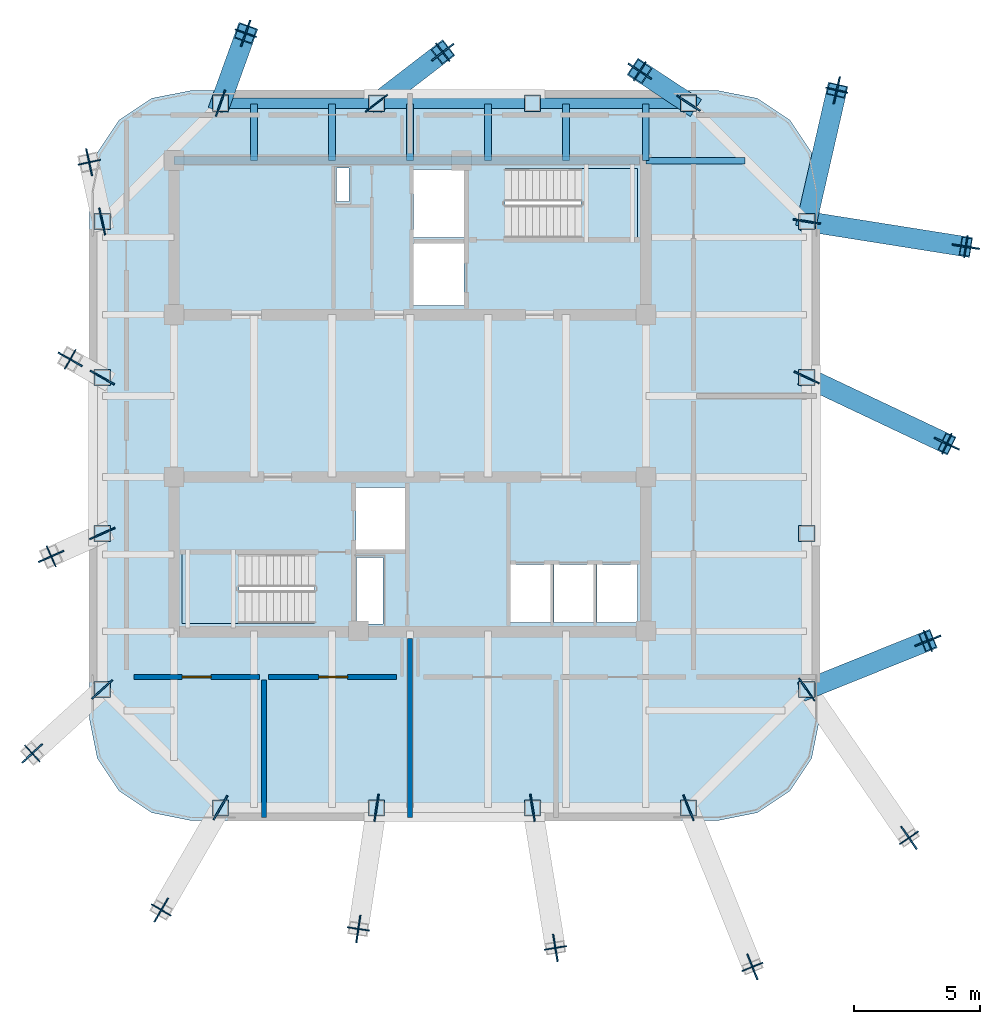
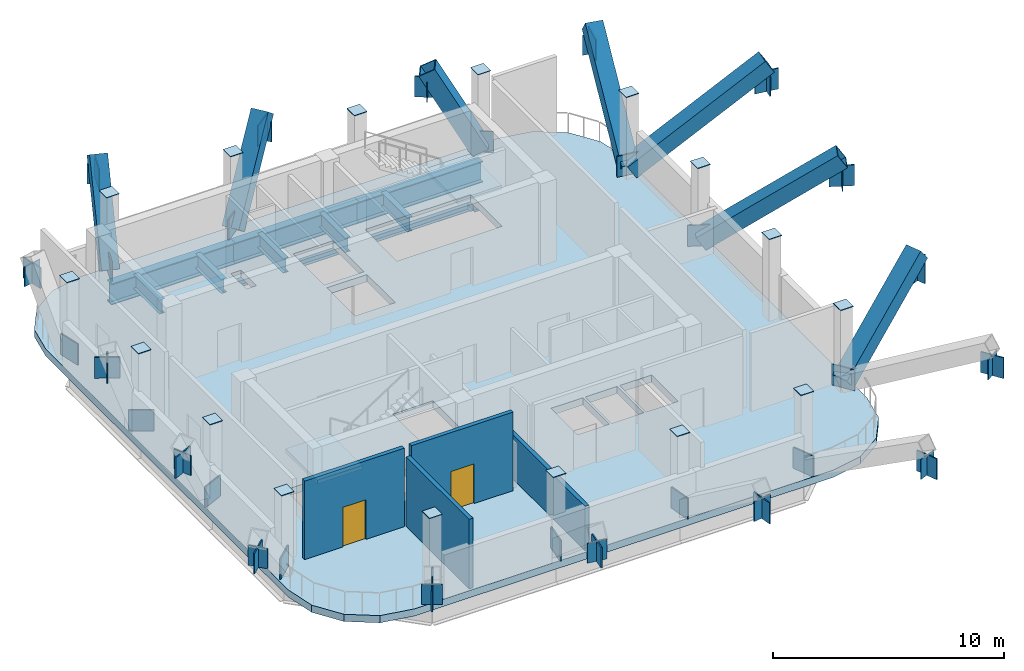
# One storey, part 2 of 7: 62 plates, 11 beams, 7 members, 4 walls, 3 slabs, 2 doors, 2 openings, 2 elements without a shape of their own.
"""IFC4 building model written with IfcOpenShell, lengths in metres."""

from ifc_helpers import new_model, si_unit, direction, frame, frame_2d, origin, origin_2d, place, context, subcontext, project, spatial, polyline, rectangle, hollow_rectangle, i_section, outline, extrude, material, layer, layer_set, material_profile, profile_set, type_object, element, fill, aggregate, save


model = new_model("IFC4")

# Units and contexts
model_context = context("Model", 3, precision=1e-05, world=origin(), true_north=direction((0.0, 1.0)))
body_context = subcontext(model_context, "Body", "Model", "MODEL_VIEW")
ifc_project = project(units=[si_unit("LENGTHUNIT", "METRE"), si_unit("AREAUNIT", "SQUARE_METRE"), si_unit("VOLUMEUNIT", "CUBIC_METRE"), si_unit("PLANEANGLEUNIT", "RADIAN"), si_unit("MASSUNIT", "GRAM", prefix="KILO")], contexts=[model_context])

# Site, building, storey
site_placement = place(None, origin())
site = spatial("IfcSite", under=ifc_project, at=site_placement, CompositionType="ELEMENT")
building_placement = place(site_placement, origin())
building = spatial("IfcBuilding", under=site, at=building_placement, Name="Qhalaya Broadcast Tower", CompositionType="ELEMENT")
storey_placement = place(building_placement, frame((0.0, 0.0, 238.5)))
storey = spatial("IfcBuildingStorey", under=building, at=storey_placement, Name="L70", CompositionType="ELEMENT", Elevation=238.5)

# Beams
ifc_material_1 = material(Name="Structural Steel ASTM A992 Grade 50", Category="steel")
ifc_material_profile_1 = material_profile(ifc_material_1, i_section(OverallWidth=0.323974609375, OverallDepth=0.612060546875, WebThickness=0.0126953125, FlangeThickness=0.01904296875, at=origin_2d()), Name="W24X104")
ifc_profile_set_1 = profile_set([ifc_material_profile_1], Name="Structural Steel ASTM A992 Grade 50")
beam_type_1 = type_object("IfcBeamType", Name="Core Frame Tie Beam B04", PredefinedType="BEAM", material=ifc_profile_set_1)
beam_1_placement = place(storey_placement, frame((-9.375, 9.949951171875, -0.68603515625), z_axis=(1.0, 0.0, 0.0), x_axis=(0.0, 1.0, 0.0)))
element("IfcBeam", 1, at=beam_1_placement, inside=storey, type_object=beam_type_1, Name="L70 B04 L70-CCN3", PredefinedType="BEAM", context=body_context, shape_type="SweptSolid", body=[
    extrude(i_section(OverallWidth=0.323974609375, OverallDepth=0.612060546875, WebThickness=0.0126953125, FlangeThickness=0.01904296875, at=origin_2d()), origin(), (0.0, 0.0, 1.0), 18.4951171875),
])
ifc_material_profile_2 = material_profile(ifc_material_1, i_section(OverallWidth=0.26708984375, OverallDepth=0.780029296875, WebThickness=0.0166015625, FlangeThickness=0.030029296875, at=origin_2d()), Name="W30X148")
ifc_profile_set_2 = profile_set([ifc_material_profile_2], Name="Structural Steel ASTM A992 Grade 50")
beam_type_2 = type_object("IfcBeamType", Name="Neck & Crown Primary Girder PG5", PredefinedType="USERDEFINED", material=ifc_profile_set_2)
beam_2_placement = place(storey_placement, frame((9.375, 9.949951171875, -0.77001953125), z_axis=(0.0, 1.0, 0.0), x_axis=(-1.0, 0.0, 0.0)))
element("IfcBeam", 2, at=beam_2_placement, inside=storey, type_object=beam_type_2, Name="L70 PG5 L70-PGXN2-1", ObjectType="GIRDER", PredefinedType="USERDEFINED", context=body_context, shape_type="SweptSolid", body=[
    extrude(i_section(OverallWidth=0.26708984375, OverallDepth=0.780029296875, WebThickness=0.0166015625, FlangeThickness=0.030029296875, at=origin_2d()), origin(), (0.0, 0.0, 1.0), 2.260009765625),
])
beam_3_placement = place(storey_placement, frame((9.375, 9.949951171875, -0.77001953125), z_axis=(1.0, 0.0, 0.0), x_axis=(0.0, 1.0, 0.0)))
element("IfcBeam", 3, at=beam_3_placement, inside=storey, type_object=beam_type_2, Name="L70 PG5 L70-PGYE4-1", ObjectType="GIRDER", PredefinedType="USERDEFINED", context=body_context, shape_type="SweptSolid", body=[
    extrude(i_section(OverallWidth=0.26708984375, OverallDepth=0.780029296875, WebThickness=0.0166015625, FlangeThickness=0.030029296875, at=origin_2d()), origin(), (0.0, 0.0, 1.0), 3.94677734375),
])
ifc_material_profile_3 = material_profile(ifc_material_1, i_section(OverallWidth=0.26708984375, OverallDepth=0.761962890625, WebThickness=0.014404296875, FlangeThickness=0.021484375, at=origin_2d()), Name="W30X116")
ifc_profile_set_3 = profile_set([ifc_material_profile_3], Name="Structural Steel ASTM A992 Grade 50")
beam_type_3 = type_object("IfcBeamType", Name="Plant & Server Floor Beam B02", PredefinedType="BEAM", material=ifc_profile_set_3)
for number, where, z_axis, x_axis, name in (
    (4, (-6.199951171875, 9.949951171875, -0.760986328125), (0.0, 1.0, 0.0), (-1.0, 0.0, 0.0), "L70 B02 L70-JNN1-1"),
    (5, (-3.10009765625, 9.949951171875, -0.760986328125), (0.0, 1.0, 0.0), (-1.0, 0.0, 0.0), "L70 B02 L70-JNN2-1"),
    (6, (0.0, 9.949951171875, -0.760986328125), (0.0, 1.0, 0.0), (-1.0, 0.0, 0.0), "L70 B02 L70-JNN3-1"),
    (7, (3.10009765625, 9.949951171875, -0.760986328125), (0.0, 1.0, 0.0), (-1.0, 0.0, 0.0), "L70 B02 L70-JNN4-1"),
    (8, (6.199951171875, 9.949951171875, -0.760986328125), (0.0, 1.0, 0.0), (-1.0, 0.0, 0.0), "L70 B02 L70-JNN5-1"),
):
    element("IfcBeam", number, at=place(storey_placement, frame(where, z_axis=z_axis, x_axis=x_axis)), inside=storey, type_object=beam_type_3, Name=name, PredefinedType="BEAM", context=body_context, shape_type="SweptSolid", body=[
        extrude(i_section(OverallWidth=0.26708984375, OverallDepth=0.761962890625, WebThickness=0.014404296875, FlangeThickness=0.021484375, at=origin_2d()), origin(), (0.0, 0.0, 1.0), 2.260009765625),
    ])
ifc_material_profile_4 = material_profile(ifc_material_1, i_section(OverallWidth=0.404052734375, OverallDepth=1.117919921875, WebThickness=0.026123046875, FlangeThickness=0.044921875, at=origin_2d()), Name="W44X335")
ifc_profile_set_4 = profile_set([ifc_material_profile_4], Name="Structural Steel ASTM A992 Grade 50")
beam_type_4 = type_object("IfcBeamType", Name="Podium Long-Span Primary Girder PG1", PredefinedType="USERDEFINED", material=ifc_profile_set_4)
beam_4_placement = place(storey_placement, frame((11.070068359375, 12.22998046875, -0.93896484375), z_axis=(-1.0, 0.0, 0.0), x_axis=(0.0, -1.0, 0.0)))
element("IfcBeam", 9, at=beam_4_placement, inside=storey, type_object=beam_type_4, Name="L70 PG1 L70-SPR-09", ObjectType="GIRDER", PredefinedType="USERDEFINED", context=body_context, shape_type="SweptSolid", body=[
    extrude(i_section(OverallWidth=0.404052734375, OverallDepth=1.117919921875, WebThickness=0.026123046875, FlangeThickness=0.044921875, at=origin_2d()), origin(), (0.0, 0.0, 1.0), 6.199951171875),
])
beam_5_placement = place(storey_placement, frame((4.8701171875, 12.22998046875, -0.93896484375), z_axis=(-1.0, 0.0, 0.0), x_axis=(0.0, -1.0, 0.0)))
element("IfcBeam", 10, at=beam_5_placement, inside=storey, type_object=beam_type_4, Name="L70 PG1 L70-SPR-10", ObjectType="GIRDER", PredefinedType="USERDEFINED", context=body_context, shape_type="SweptSolid", body=[
    extrude(i_section(OverallWidth=0.404052734375, OverallDepth=1.117919921875, WebThickness=0.026123046875, FlangeThickness=0.044921875, at=origin_2d()), origin(), (0.0, 0.0, 1.0), 6.2001953125),
])
beam_6_placement = place(storey_placement, frame((-1.330078125, 12.22998046875, -0.93896484375), z_axis=(-1.0, 0.0, 0.0), x_axis=(0.0, -1.0, 0.0)))
element("IfcBeam", 11, at=beam_6_placement, inside=storey, type_object=beam_type_4, Name="L70 PG1 L70-SPR-11", ObjectType="GIRDER", PredefinedType="USERDEFINED", context=body_context, shape_type="SweptSolid", body=[
    extrude(i_section(OverallWidth=0.404052734375, OverallDepth=1.117919921875, WebThickness=0.026123046875, FlangeThickness=0.044921875, at=origin_2d()), origin(), (0.0, 0.0, 1.0), 6.199951171875),
])

# Members
ifc_material_2 = material(Name="Structural Steel ASTM A572 Grade 50", Category="steel")
ifc_material_profile_5 = material_profile(ifc_material_2, hollow_rectangle(XDim=0.800048828125, YDim=0.800048828125, WallThickness=0.050048828125, at=origin_2d()), Name="BOX 800x800x50")
ifc_profile_set_5 = profile_set([ifc_material_profile_5], Name="Structural Steel ASTM A572 Grade 50")
member_type = type_object("IfcMemberType", Name="Upper Exoskeleton Transfer Strut RK2", PredefinedType="BRACE", material=ifc_profile_set_5)
member_1_placement = place(storey_placement, frame((15.77001953125, -11.070068359375, 0.326171875), z_axis=(0.732996114832, 0.295102331945, 0.612887680837), x_axis=(-0.373466870858, 0.927643517938, 0.0)))
element("IfcMember", 12, at=member_1_placement, inside=storey, type_object=member_type, Name="L70 Inclined Exoskeleton Transfer Strut 06", PredefinedType="BRACE", context=body_context, shape_type="SweptSolid", body=[
    extrude(hollow_rectangle(XDim=0.800048828125, YDim=0.800048828125, WallThickness=0.050048828125, at=origin_2d()), origin(), (0.0, 0.0, 1.0), 6.5654296875),
])
member_2_placement = place(storey_placement, frame((15.77001953125, 1.330078125, 0.34521484375), z_axis=(0.757830164352, -0.358340657977, 0.545238860352), x_axis=(0.42747094669, 0.904029086776, 0.0)))
element("IfcMember", 13, at=member_2_placement, inside=storey, type_object=member_type, Name="L70 Inclined Exoskeleton Transfer Strut 07", PredefinedType="BRACE", context=body_context, shape_type="SweptSolid", body=[
    extrude(hollow_rectangle(XDim=0.800048828125, YDim=0.800048828125, WallThickness=0.050048828125, at=origin_2d()), origin(), (0.0, 0.0, 1.0), 7.34521484375),
])
member_3_placement = place(storey_placement, frame((15.77001953125, 7.530029296875, 0.34912109375), z_axis=(0.837457489006, -0.132728989392, 0.530139575473), x_axis=(0.156536576107, 0.98767216238, 0.0)))
element("IfcMember", 14, at=member_3_placement, inside=storey, type_object=member_type, Name="L70 Inclined Exoskeleton Transfer Strut 08", PredefinedType="BRACE", context=body_context, shape_type="SweptSolid", body=[
    extrude(hollow_rectangle(XDim=0.800048828125, YDim=0.800048828125, WallThickness=0.050048828125, at=origin_2d()), origin(), (0.0, 0.0, 1.0), 7.547119140625),
])
member_4_placement = place(storey_placement, frame((15.77001953125, 7.530029296875, 0.329833984375), z_axis=(0.178182888666, 0.779504552854, 0.600519367104), x_axis=(-0.97485567594, 0.222837185153, 0.0)))
element("IfcMember", 15, at=member_4_placement, inside=storey, type_object=member_type, Name="L70 Inclined Exoskeleton Transfer Strut 09", PredefinedType="BRACE", context=body_context, shape_type="SweptSolid", body=[
    extrude(hollow_rectangle(XDim=0.800048828125, YDim=0.800048828125, WallThickness=0.050048828125, at=origin_2d()), origin(), (0.0, 0.0, 1.0), 6.694580078125),
])
member_5_placement = place(storey_placement, frame((11.070068359375, 12.22998046875, 0.205078125), z_axis=(-0.407969330835, 0.267935503064, 0.872795274561), x_axis=(-0.54895088447, -0.835854608433, 0.0)))
element("IfcMember", 16, at=member_5_placement, inside=storey, type_object=member_type, Name="L70 Inclined Exoskeleton Transfer Strut 10", PredefinedType="BRACE", context=body_context, shape_type="SweptSolid", body=[
    extrude(hollow_rectangle(XDim=0.800048828125, YDim=0.800048828125, WallThickness=0.050048828125, at=origin_2d()), origin(), (0.0, 0.0, 1.0), 4.7490234375),
])
member_6_placement = place(storey_placement, frame((-1.330078125, 12.22998046875, 0.26220703125), z_axis=(0.499698257326, 0.38470415878, 0.776082702966), x_axis=(-0.610030384998, 0.792378021767, 0.0)))
element("IfcMember", 17, at=member_6_placement, inside=storey, type_object=member_type, Name="L70 Inclined Exoskeleton Transfer Strut 11", PredefinedType="BRACE", context=body_context, shape_type="SweptSolid", body=[
    extrude(hollow_rectangle(XDim=0.800048828125, YDim=0.800048828125, WallThickness=0.050048828125, at=origin_2d()), origin(), (0.0, 0.0, 1.0), 5.267333984375),
])
member_7_placement = place(storey_placement, frame((-7.530029296875, 12.22998046875, 0.24365234375), z_axis=(0.197989433379, 0.549573886609, 0.811645690821), x_axis=(-0.94080946039, 0.338935922028, 0.0)))
element("IfcMember", 18, at=member_7_placement, inside=storey, type_object=member_type, Name="L70 Inclined Exoskeleton Transfer Strut 12", PredefinedType="BRACE", context=body_context, shape_type="SweptSolid", body=[
    extrude(hollow_rectangle(XDim=0.800048828125, YDim=0.800048828125, WallThickness=0.050048828125, at=origin_2d()), origin(), (0.0, 0.0, 1.0), 5.059326171875),
])

# Plates
ifc_layer_1 = layer(ifc_material_2, 0.054931640625, Name="Structural Steel ASTM A572 Grade 50")
ifc_layer_set_1 = layer_set([ifc_layer_1], Name="Structural Steel ASTM A572 Grade 50")
plate_type_1 = type_object("IfcPlateType", Name="Exoskeleton Diamond Node Gusset Plate NP-01", PredefinedType="USERDEFINED", material=ifc_layer_set_1)
for number, where, z_axis, x_axis, name in (
    (19, (-7.530029296875, -15.77001953125, 0.0), (0.0, 0.0, 1.0), (-0.501571134901, -0.865116406407, 0.0), "L70 Strut Foot Gusset Plate 01"),
    (20, (-9.883056640625, -19.82861328125, 2.800048828125), (0.0, 0.0, 1.0), (-0.501571134901, -0.865116406407, 0.0), "L70 Strut Head Gusset Plate 01"),
    (21, (-1.330078125, -15.77001953125, 0.0), (0.0, 0.0, 1.0), (-0.148465318734, -0.988917614937, 0.0), "L70 Strut Foot Gusset Plate 02"),
    (22, (-2.052490234375, -20.58251953125, 2.800048828125), (0.0, 0.0, 1.0), (-0.148465318734, -0.988917614937, 0.0), "L70 Strut Head Gusset Plate 02"),
    (23, (4.8701171875, -15.77001953125, 0.0), (0.0, 0.0, 1.0), (0.160983729511, -0.986957060278, 0.0), "L70 Strut Foot Gusset Plate 03"),
    (24, (5.77783203125, -21.33642578125, 2.800048828125), (0.0, 0.0, 1.0), (0.160983729511, -0.986957060278, 0.0), "L70 Strut Head Gusset Plate 03"),
    (25, (11.070068359375, -15.77001953125, 0.0), (0.0, 0.0, 1.0), (0.37268007992, -0.927959890314, 0.0), "L70 Strut Foot Gusset Plate 04"),
    (26, (13.6083984375, -22.09033203125, 2.800048828125), (0.0, 0.0, 1.0), (0.37268007992, -0.927959890314, 0.0), "L70 Strut Head Gusset Plate 04"),
    (27, (15.77001953125, -11.070068359375, 0.0), (0.0, 0.0, 1.0), (0.56719708019, -0.823582098047, 0.0), "L70 Strut Foot Gusset Plate 05"),
    (28, (19.82861328125, -16.962890625, 2.800048828125), (0.0, 0.0, 1.0), (0.56719708019, -0.823582098047, 0.0), "L70 Strut Head Gusset Plate 05"),
    (29, (20.58251953125, -9.132568359375, 2.800048828125), (0.0, 0.0, 1.0), (0.927640830776, 0.373473545352, 0.0), "L70 Strut Head Gusset Plate 06"),
    (30, (15.77001953125, 1.330078125, 0.0), (0.0, 0.0, 1.0), (0.904030331301, -0.427468314718, 0.0), "L70 Strut Foot Gusset Plate 07"),
    (31, (21.33642578125, -1.302001953125, 2.800048828125), (0.0, 0.0, 1.0), (0.904030331301, -0.427468314718, 0.0), "L70 Strut Head Gusset Plate 07"),
    (32, (15.77001953125, 7.530029296875, 0.0), (0.0, 0.0, 1.0), (0.987674685352, -0.156520656512, 0.0), "L70 Strut Foot Gusset Plate 08"),
    (33, (22.09033203125, 6.5283203125, 2.800048828125), (0.0, 0.0, 1.0), (0.987674685352, -0.156520656512, 0.0), "L70 Strut Head Gusset Plate 08"),
    (34, (16.962890625, 12.74853515625, 2.800048828125), (0.0, 0.0, 1.0), (0.222858803812, 0.974850733991, 0.0), "L70 Strut Head Gusset Plate 09"),
    (35, (11.070068359375, 12.22998046875, 0.0), (0.0, 0.0, 1.0), (-0.83586485032, 0.548935289446, 0.0), "L70 Strut Foot Gusset Plate 10"),
    (36, (9.132568359375, 13.50244140625, 2.800048828125), (0.0, 0.0, 1.0), (-0.83586485032, 0.548935289446, 0.0), "L70 Strut Head Gusset Plate 10"),
    (37, (-1.330078125, 12.22998046875, 0.0), (0.0, 0.0, 1.0), (0.792374827968, 0.610034533451, 0.0), "L70 Strut Foot Gusset Plate 11"),
    (38, (1.302001953125, 14.25634765625, 2.800048828125), (0.0, 0.0, 1.0), (0.792374827968, 0.610034533451, 0.0), "L70 Strut Head Gusset Plate 11"),
    (39, (-7.530029296875, 12.22998046875, 0.0), (0.0, 0.0, 1.0), (0.338918550142, 0.940815718603, 0.0), "L70 Strut Foot Gusset Plate 12"),
    (40, (-6.5283203125, 15.010498046875, 2.800048828125), (0.0, 0.0, 1.0), (0.338918550142, 0.940815718603, 0.0), "L70 Strut Head Gusset Plate 12"),
    (41, (-12.22998046875, 7.530029296875, 0.0), (0.0, 0.0, 1.0), (-0.215195549275, 0.976570978256, 0.0), "L70 Strut Foot Gusset Plate 13"),
    (42, (-12.74853515625, 9.883056640625, 2.800048828125), (0.0, 0.0, 1.0), (-0.215195549275, 0.976570978256, 0.0), "L70 Strut Head Gusset Plate 13"),
    (43, (-12.22998046875, 1.330078125, 0.0), (0.0, 0.0, 1.0), (-0.869589743511, 0.493774926439, 0.0), "L70 Strut Foot Gusset Plate 14"),
    (44, (-13.50244140625, 2.052490234375, 2.800048828125), (0.0, 0.0, 1.0), (-0.869589743511, 0.493774926439, 0.0), "L70 Strut Head Gusset Plate 14"),
    (45, (-12.22998046875, -4.8701171875, 0.0), (0.0, 0.0, 1.0), (-0.912591708353, -0.408872075161, 0.0), "L70 Strut Foot Gusset Plate 15"),
    (46, (-14.25634765625, -5.77783203125, 2.800048828125), (0.0, 0.0, 1.0), (-0.912591708353, -0.408872075161, 0.0), "L70 Strut Head Gusset Plate 15"),
    (47, (-12.22998046875, -11.070068359375, 0.0), (0.0, 0.0, 1.0), (-0.738514181798, -0.674237942631, 0.0), "L70 Strut Foot Gusset Plate 16"),
    (48, (-15.010498046875, -13.6083984375, 2.800048828125), (0.0, 0.0, 1.0), (-0.738514181798, -0.674237942631, 0.0), "L70 Strut Head Gusset Plate 16"),
):
    element("IfcPlate", number, at=place(storey_placement, frame(where, z_axis=z_axis, x_axis=x_axis)), inside=storey, type_object=plate_type_1, Name=name, ObjectType="GUSSET_PLATE", PredefinedType="USERDEFINED", context=body_context, shape_type="SweptSolid", body=[
        extrude(rectangle(XDim=1.10009765625, YDim=0.06005859375, at=origin_2d()), origin(), (0.0, 0.0, 1.0), 1.10009765625),
    ])
ifc_layer_2 = layer(ifc_material_2, 0.4599609375, Name="Structural Steel ASTM A572 Grade 50")
ifc_layer_set_2 = layer_set([ifc_layer_2], Name="Structural Steel ASTM A572 Grade 50")
plate_type_2 = type_object("IfcPlateType", Name="Hollow Box Member End Cap Plate CP-01", PredefinedType="USERDEFINED", material=ifc_layer_set_2)
for number, where, z_axis, x_axis, name in (
    (49, (-7.530029296875, -15.77001953125, 4.35009765625), (0.0, 0.0, 1.0), (1.0, 0.0, 0.0), "L70 Hollow Box Column Top Cap Plate COL-NK01"),
    (50, (-1.330078125, -15.77001953125, 4.35009765625), (0.0, 0.0, 1.0), (1.0, 0.0, 0.0), "L70 Hollow Box Column Top Cap Plate COL-NK02"),
    (51, (4.8701171875, -15.77001953125, 4.35009765625), (0.0, 0.0, 1.0), (1.0, 0.0, 0.0), "L70 Hollow Box Column Top Cap Plate COL-NK03"),
    (52, (11.070068359375, -15.77001953125, 4.35009765625), (0.0, 0.0, 1.0), (1.0, 0.0, 0.0), "L70 Hollow Box Column Top Cap Plate COL-NK04"),
    (53, (15.77001953125, -11.070068359375, 4.35009765625), (0.0, 0.0, 1.0), (0.0, 1.0, 0.0), "L70 Hollow Box Column Top Cap Plate COL-NK05"),
    (54, (15.77001953125, -4.8701171875, 4.35009765625), (0.0, 0.0, 1.0), (0.0, 1.0, 0.0), "L70 Hollow Box Column Top Cap Plate COL-NK06"),
    (55, (15.77001953125, 1.330078125, 4.35009765625), (0.0, 0.0, 1.0), (0.0, 1.0, 0.0), "L70 Hollow Box Column Top Cap Plate COL-NK07"),
    (56, (15.77001953125, 7.530029296875, 4.35009765625), (0.0, 0.0, 1.0), (0.0, 1.0, 0.0), "L70 Hollow Box Column Top Cap Plate COL-NK08"),
    (57, (11.070068359375, 12.22998046875, 4.35009765625), (0.0, 0.0, 1.0), (1.0, 0.0, 0.0), "L70 Hollow Box Column Top Cap Plate COL-NK09"),
    (58, (4.8701171875, 12.22998046875, 4.35009765625), (0.0, 0.0, 1.0), (1.0, 0.0, 0.0), "L70 Hollow Box Column Top Cap Plate COL-NK10"),
    (59, (-1.330078125, 12.22998046875, 4.35009765625), (0.0, 0.0, 1.0), (1.0, 0.0, 0.0), "L70 Hollow Box Column Top Cap Plate COL-NK11"),
    (60, (-7.530029296875, 12.22998046875, 4.35009765625), (0.0, 0.0, 1.0), (1.0, 0.0, 0.0), "L70 Hollow Box Column Top Cap Plate COL-NK12"),
    (61, (-12.22998046875, 7.530029296875, 4.35009765625), (0.0, 0.0, 1.0), (0.0, 1.0, 0.0), "L70 Hollow Box Column Top Cap Plate COL-NK13"),
    (62, (-12.22998046875, 1.330078125, 4.35009765625), (0.0, 0.0, 1.0), (0.0, 1.0, 0.0), "L70 Hollow Box Column Top Cap Plate COL-NK14"),
    (63, (-12.22998046875, -4.8701171875, 4.35009765625), (0.0, 0.0, 1.0), (0.0, 1.0, 0.0), "L70 Hollow Box Column Top Cap Plate COL-NK15"),
    (64, (-12.22998046875, -11.070068359375, 4.35009765625), (0.0, 0.0, 1.0), (0.0, 1.0, 0.0), "L70 Hollow Box Column Top Cap Plate COL-NK16"),
):
    element("IfcPlate", number, at=place(storey_placement, frame(where, z_axis=z_axis, x_axis=x_axis)), inside=storey, type_object=plate_type_2, Name=name, ObjectType="COVER_PLATE", PredefinedType="USERDEFINED", context=body_context, shape_type="SweptSolid", body=[
        extrude(rectangle(XDim=0.639892578125, YDim=0.639892578125, at=origin_2d()), origin(), (0.0, 0.0, 1.0), 0.031982421875),
    ])

# Stair, slab
ifc_material_3 = material(Name="Concrete C40/50", Category="concrete")
stair_type = type_object("IfcStairType", Name="Protected Dogleg Core Stair 4200", PredefinedType="TWO_STRAIGHT_RUN_STAIR", material=ifc_material_3)
stair_1_placement = place(storey_placement, origin())
stair_1 = element("IfcStair", 65, at=stair_1_placement, inside=storey, type_object=stair_type, Name="L70 North Core Exit Stair ST-1", PredefinedType="TWO_STRAIGHT_RUN_STAIR")
ifc_layer_3 = layer(ifc_material_3, 0.199951171875, Name="Concrete C40/50")
ifc_layer_set_3 = layer_set([ifc_layer_3], Name="Concrete C40/50")
slab_type_1 = type_object("IfcSlabType", Name="Stair & Ramp Half-Landing Slab 200", PredefinedType="LANDING", material=ifc_layer_set_3)
slab_1_placement = place(storey_placement, frame((0.0, 0.0, 1.97509765625)))
slab_1 = element("IfcSlab", 66, at=slab_1_placement, type_object=slab_type_1, Name="ST-1 landing 1", PredefinedType="LANDING", context=body_context, shape_type="SweptSolid", body=[
    extrude(outline(polyline([(6.794921875, 6.8798828125), (9.050048828125, 6.8798828125), (9.050048828125, 9.639892578125), (6.794921875, 9.639892578125), (6.794921875, 6.8798828125)])), origin(), (0.0, 0.0, 1.0), 0.199951171875),
])
aggregate(stair_1, [slab_1])

stair_2_placement = place(storey_placement, origin())
stair_2 = element("IfcStair", 67, at=stair_2_placement, inside=storey, type_object=stair_type, Name="L70 South Core Exit Stair ST-2", PredefinedType="TWO_STRAIGHT_RUN_STAIR")
slab_2_placement = place(storey_placement, frame((0.0, 0.0, 1.97509765625)))
slab_2 = element("IfcSlab", 68, at=slab_2_placement, type_object=slab_type_1, Name="ST-2 landing 1", PredefinedType="LANDING", context=body_context, shape_type="SweptSolid", body=[
    extrude(outline(polyline([(-6.794921875, -5.679931640625), (-9.050048828125, -5.679931640625), (-9.050048828125, -8.43994140625), (-6.794921875, -8.43994140625), (-6.794921875, -5.679931640625)])), origin(), (0.0, 0.0, 1.0), 0.199951171875),
])
aggregate(stair_2, [slab_2])

# Slab
ifc_layer_4 = layer(ifc_material_3, 0.3798828125, Name="Concrete C40/50")
ifc_layer_set_4 = layer_set([ifc_layer_4], Name="Concrete C40/50")
slab_type_2 = type_object("IfcSlabType", Name="Transfer & Sky-Pool Structural Deck Slab 380", PredefinedType="FLOOR", material=ifc_layer_set_4)
slab_3_placement = place(storey_placement, frame((0.0, 0.0, -0.3798828125)))
element("IfcSlab", 69, at=slab_3_placement, inside=storey, type_object=slab_type_2, Name="L70 Main Structural Floor Slab", PredefinedType="FLOOR", context=body_context, shape_type="SweptSolid", body=[
    extrude(outline(polyline([(12.27001953125, -16.27001953125), (13.80078125, -15.965576171875), (15.098388671875, -15.098388671875), (15.965576171875, -13.80078125), (16.27001953125, -12.27001953125), (16.27001953125, 8.72998046875), (15.965576171875, 10.2607421875), (15.098388671875, 11.558349609375), (13.80078125, 12.425537109375), (12.27001953125, 12.72998046875), (-8.72998046875, 12.72998046875), (-10.2607421875, 12.425537109375), (-11.558349609375, 11.558349609375), (-12.425537109375, 10.2607421875), (-12.72998046875, 8.72998046875), (-12.72998046875, -12.27001953125), (-12.425537109375, -13.80078125), (-11.558349609375, -15.098388671875), (-10.2607421875, -15.965576171875), (-8.72998046875, -16.27001953125), (12.27001953125, -16.27001953125)]), holes=[polyline([(3.784912109375, 9.639892578125), (9.050048828125, 9.639892578125), (9.050048828125, 6.8798828125), (3.784912109375, 6.8798828125), (3.784912109375, 9.639892578125)]), polyline([(-3.784912109375, -8.43994140625), (-9.050048828125, -8.43994140625), (-9.050048828125, -5.679931640625), (-3.784912109375, -5.679931640625), (-3.784912109375, -8.43994140625)]), polyline([(0.14990234375, 6.64990234375), (2.14990234375, 6.64990234375), (2.14990234375, 4.199951171875), (0.14990234375, 4.199951171875), (0.14990234375, 6.64990234375)]), polyline([(0.14990234375, 9.60009765625), (2.14990234375, 9.60009765625), (2.14990234375, 6.89990234375), (0.14990234375, 6.89990234375), (0.14990234375, 9.60009765625)]), polyline([(-2.14990234375, -3.050048828125), (-0.14990234375, -3.050048828125), (-0.14990234375, -5.5), (-2.14990234375, -5.5), (-2.14990234375, -3.050048828125)]), polyline([(4.0, -6.10009765625), (5.60009765625, -6.10009765625), (5.60009765625, -8.39990234375), (4.0, -8.39990234375), (4.0, -6.10009765625)]), polyline([(5.719970703125, -6.10009765625), (7.320068359375, -6.10009765625), (7.320068359375, -8.39990234375), (5.719970703125, -8.39990234375), (5.719970703125, -6.10009765625)]), polyline([(7.43994140625, -6.10009765625), (9.0400390625, -6.10009765625), (9.0400390625, -8.39990234375), (7.43994140625, -8.39990234375), (7.43994140625, -6.10009765625)]), polyline([(-2.919921875, 9.659912109375), (-2.419921875, 9.659912109375), (-2.419921875, 8.320068359375), (-2.919921875, 8.320068359375), (-2.919921875, 9.659912109375)]), polyline([(-2.1201171875, -5.820068359375), (-1.080078125, -5.820068359375), (-1.080078125, -8.4599609375), (-2.1201171875, -8.4599609375), (-2.1201171875, -5.820068359375)])]), origin(), (0.0, 0.0, 1.0), 0.3798828125),
])

# Plates
ifc_layer_5 = layer(ifc_material_2, 0.044921875, Name="Structural Steel ASTM A572 Grade 50")
ifc_layer_set_5 = layer_set([ifc_layer_5], Name="Structural Steel ASTM A572 Grade 50")
plate_type_3 = type_object("IfcPlateType", Name="Transfer Girder Web Stiffener Plate WS-01", PredefinedType="USERDEFINED", material=ifc_layer_set_5)
for number, where, z_axis, x_axis, name in (
    (70, (-9.883056640625, -19.82861328125, 2.8251953125), (0.0, 0.0, 1.0), (0.865116406407, -0.501571134901, 0.0), "L70 Strut Head Cross Diaphragm Plate 01"),
    (71, (-2.052490234375, -20.58251953125, 2.8251953125), (0.0, 0.0, 1.0), (0.988917614937, -0.148465318734, 0.0), "L70 Strut Head Cross Diaphragm Plate 02"),
    (72, (5.77783203125, -21.33642578125, 2.8251953125), (0.0, 0.0, 1.0), (0.986957060278, 0.160983729511, 0.0), "L70 Strut Head Cross Diaphragm Plate 03"),
    (73, (13.6083984375, -22.09033203125, 2.8251953125), (0.0, 0.0, 1.0), (0.927959890314, 0.37268007992, 0.0), "L70 Strut Head Cross Diaphragm Plate 04"),
    (74, (19.82861328125, -16.962890625, 2.8251953125), (0.0, 0.0, 1.0), (0.823582098047, 0.56719708019, 0.0), "L70 Strut Head Cross Diaphragm Plate 05"),
    (75, (20.58251953125, -9.132568359375, 2.8251953125), (0.0, 0.0, 1.0), (-0.373473545352, 0.927640830776, 0.0), "L70 Strut Head Cross Diaphragm Plate 06"),
    (76, (21.33642578125, -1.302001953125, 2.8251953125), (0.0, 0.0, 1.0), (0.427468314718, 0.904030331301, 0.0), "L70 Strut Head Cross Diaphragm Plate 07"),
    (77, (22.09033203125, 6.5283203125, 2.8251953125), (0.0, 0.0, 1.0), (0.156520656512, 0.987674685352, 0.0), "L70 Strut Head Cross Diaphragm Plate 08"),
    (78, (16.962890625, 12.74853515625, 2.8251953125), (0.0, 0.0, 1.0), (-0.974850733991, 0.222858803812, 0.0), "L70 Strut Head Cross Diaphragm Plate 09"),
    (79, (9.132568359375, 13.50244140625, 2.8251953125), (0.0, 0.0, 1.0), (-0.548935289446, -0.83586485032, 0.0), "L70 Strut Head Cross Diaphragm Plate 10"),
    (80, (1.302001953125, 14.25634765625, 2.8251953125), (0.0, 0.0, 1.0), (-0.610034533451, 0.792374827968, 0.0), "L70 Strut Head Cross Diaphragm Plate 11"),
    (81, (-6.5283203125, 15.010498046875, 2.8251953125), (0.0, 0.0, 1.0), (-0.940815718603, 0.338918550142, 0.0), "L70 Strut Head Cross Diaphragm Plate 12"),
    (82, (-12.74853515625, 9.883056640625, 2.8251953125), (0.0, 0.0, 1.0), (-0.976570978256, -0.215195549275, 0.0), "L70 Strut Head Cross Diaphragm Plate 13"),
    (83, (-13.50244140625, 2.052490234375, 2.8251953125), (0.0, 0.0, 1.0), (-0.493774926439, -0.869589743511, 0.0), "L70 Strut Head Cross Diaphragm Plate 14"),
    (84, (-14.25634765625, -5.77783203125, 2.8251953125), (0.0, 0.0, 1.0), (0.408872075161, -0.912591708353, 0.0), "L70 Strut Head Cross Diaphragm Plate 15"),
    (85, (-15.010498046875, -13.6083984375, 2.8251953125), (0.0, 0.0, 1.0), (0.674237942631, -0.738514181798, 0.0), "L70 Strut Head Cross Diaphragm Plate 16"),
):
    element("IfcPlate", number, at=place(storey_placement, frame(where, z_axis=z_axis, x_axis=x_axis)), inside=storey, type_object=plate_type_3, Name=name, ObjectType="STIFFENER_PLATE", PredefinedType="USERDEFINED", context=body_context, shape_type="SweptSolid", body=[
        extrude(rectangle(XDim=0.89990234375, YDim=0.044921875, at=origin_2d()), origin(), (0.0, 0.0, 1.0), 1.050048828125),
    ])

# Wall
ifc_material_4 = material(Name="Gypsum Acoustic Partition")
ifc_layer_6 = layer(ifc_material_4, 0.199951171875, Name="Gypsum Acoustic Partition")
ifc_layer_set_6 = layer_set([ifc_layer_6], Name="Gypsum Acoustic Partition")
wall_type = type_object("IfcWallType", Name="Firefighting Lobby & Stair Enclosure Wall 200", PredefinedType="PARTITIONING", material=ifc_layer_set_6)
wall_1_placement = place(storey_placement, frame((0.0, -16.14990234375, 0.0), z_axis=(0.0, 0.0, 1.0), x_axis=(0.0, 1.0, 0.0)))
element("IfcWall", 86, at=wall_1_placement, inside=storey, type_object=wall_type, Name="L70 Partition Wall W-OBS", PredefinedType="PARTITIONING", context=body_context, shape_type="SweptSolid", body=[
    extrude(rectangle(XDim=7.10986328125, YDim=0.199951171875, at=frame_2d((3.554931640625, 0.0))), origin(), (0.0, 0.0, 1.0), 2.340087890625),
])

# Wall, opening, door
wall_2_placement = place(storey_placement, frame((-10.969970703125, -10.570068359375, 0.0), z_axis=(0.0, 0.0, 1.0), x_axis=(1.0, 0.0, 0.0)))
wall_2 = element("IfcWall", 87, at=wall_2_placement, inside=storey, type_object=wall_type, Name="L70 Partition Wall W-PCS0", PredefinedType="PARTITIONING", context=body_context, shape_type="SweptSolid", body=[
    extrude(rectangle(XDim=4.989990234375, YDim=0.199951171875, at=frame_2d((2.4951171875, 0.0))), origin(), (0.0, 0.0, 1.0), 4.159912109375),
])
opening_1_placement = place(wall_2_placement, frame((1.919921875, 0.0, 0.0)))
opening_1 = element("IfcOpeningElement", 88, at=opening_1_placement, cuts=wall_2, Name="Opening D05", PredefinedType="OPENING", context=body_context, shape_type="SweptSolid", body=[
    extrude(rectangle(XDim=1.14990234375, YDim=2.10009765625, at=frame_2d((0.574951171875, 1.050048828125))), frame((0.0, 0.112060546875, 0.0), z_axis=(0.0, -1.0, 0.0), x_axis=(1.0, 0.0, 0.0)), (0.0, 0.0, 1.0), 0.223876953125),
])
ifc_material_5 = material(Name="Fire-Rated Steel Door", Category="steel")
door_type = type_object("IfcDoorType", Name="Refuge & Plant Room Fire Door D05", OperationType="NOTDEFINED", PredefinedType="DOOR", material=ifc_material_5)
door_1_placement = place(opening_1_placement, origin())
door_1 = element("IfcDoor", 89, at=door_1_placement, inside=storey, type_object=door_type, Name="L70 Door D-PCS0", OperationType="SINGLE_SWING_RIGHT", OverallHeight=2.10009765625, OverallWidth=1.14990234375, PredefinedType="DOOR", context=body_context, shape_type="SweptSolid", body=[
    extrude(rectangle(XDim=1.14990234375, YDim=2.10009765625, at=frame_2d((0.574951171875, 1.050048828125))), frame((0.0, 0.02490234375, 0.0), z_axis=(0.0, -1.0, 0.0), x_axis=(1.0, 0.0, 0.0)), (0.0, 0.0, 1.0), 0.050048828125),
])
fill(opening_1, door_1)

# Wall
wall_3_placement = place(storey_placement, frame((-5.800048828125, -16.14990234375, 0.0), z_axis=(0.0, 0.0, 1.0), x_axis=(0.0, 1.0, 0.0)))
element("IfcWall", 90, at=wall_3_placement, inside=storey, type_object=wall_type, Name="L70 Partition Wall W-PDS1", PredefinedType="PARTITIONING", context=body_context, shape_type="SweptSolid", body=[
    extrude(rectangle(XDim=5.4599609375, YDim=0.199951171875, at=frame_2d((2.72998046875, 0.0))), origin(), (0.0, 0.0, 1.0), 3.680908203125),
])

# Wall, opening, door
wall_4_placement = place(storey_placement, frame((-5.6201171875, -10.570068359375, 0.0), z_axis=(0.0, 0.0, 1.0), x_axis=(1.0, 0.0, 0.0)))
wall_4 = element("IfcWall", 91, at=wall_4_placement, inside=storey, type_object=wall_type, Name="L70 Partition Wall W-PCS1", PredefinedType="PARTITIONING", context=body_context, shape_type="SweptSolid", body=[
    extrude(rectangle(XDim=5.090087890625, YDim=0.199951171875, at=frame_2d((2.544921875, 0.0))), origin(), (0.0, 0.0, 1.0), 4.159912109375),
])
opening_2_placement = place(wall_4_placement, frame((1.989990234375, 0.0, 0.0)))
opening_2 = element("IfcOpeningElement", 92, at=opening_2_placement, cuts=wall_4, Name="Opening D05", PredefinedType="OPENING", context=body_context, shape_type="SweptSolid", body=[
    extrude(rectangle(XDim=1.14990234375, YDim=2.10009765625, at=frame_2d((0.574951171875, 1.050048828125))), frame((0.0, 0.112060546875, 0.0), z_axis=(0.0, -1.0, 0.0), x_axis=(1.0, 0.0, 0.0)), (0.0, 0.0, 1.0), 0.223876953125),
])
door_2_placement = place(opening_2_placement, origin())
door_2 = element("IfcDoor", 93, at=door_2_placement, inside=storey, type_object=door_type, Name="L70 Door D-PCS1", OperationType="SINGLE_SWING_RIGHT", OverallHeight=2.10009765625, OverallWidth=1.14990234375, PredefinedType="DOOR", context=body_context, shape_type="SweptSolid", body=[
    extrude(rectangle(XDim=1.14990234375, YDim=2.10009765625, at=frame_2d((0.574951171875, 1.050048828125))), frame((0.0, 0.02490234375, 0.0), z_axis=(0.0, -1.0, 0.0), x_axis=(1.0, 0.0, 0.0)), (0.0, 0.0, 1.0), 0.050048828125),
])
fill(opening_2, door_2)

save(model, "model.ifc")
